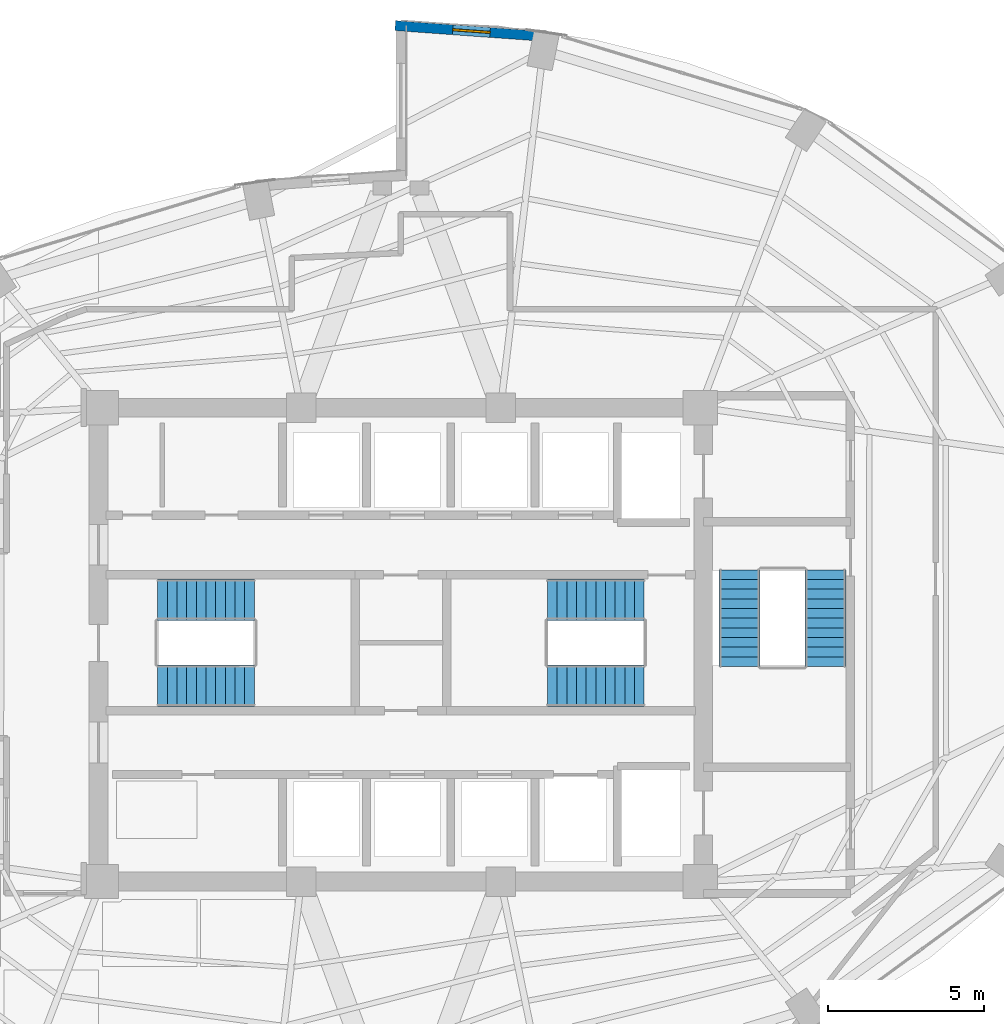
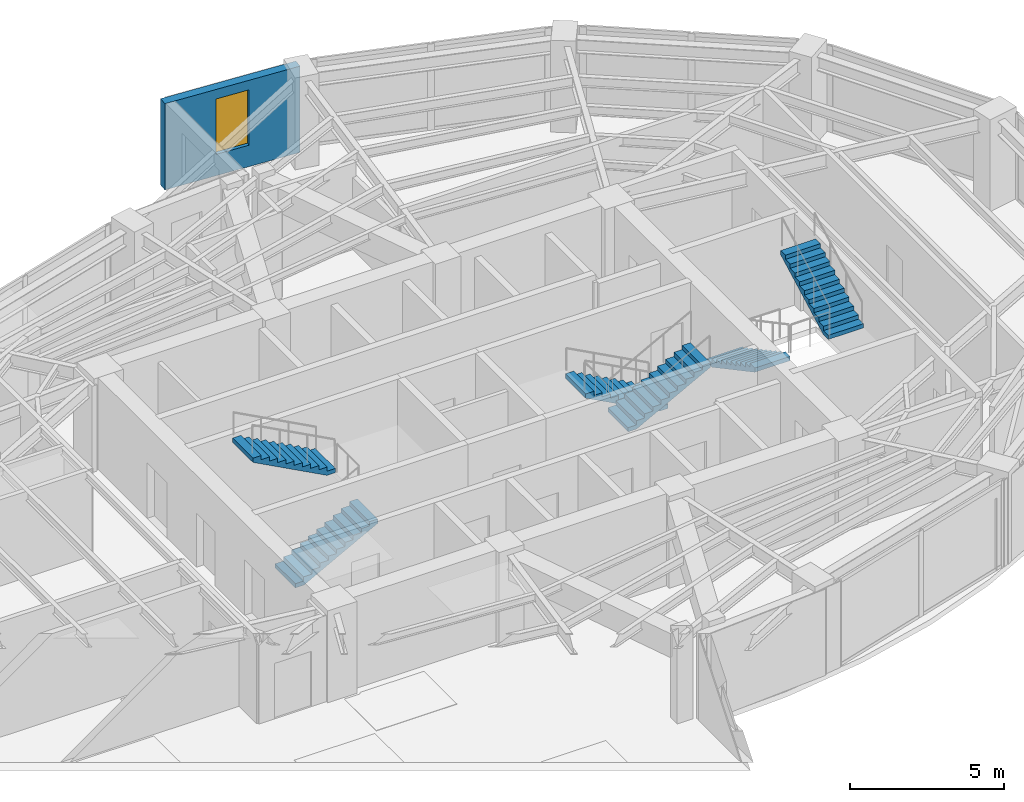
# One storey, part 18 of 20: 6 stair flights, 1 wall, 1 window, 1 opening, 3 elements without a shape of their own.
"""IFC4 building model written with IfcOpenShell, lengths in metres."""

from ifc_helpers import new_model, si_unit, direction, frame, frame_2d, origin, place, context, subcontext, project, spatial, polyline, rectangle, outline, extrude, material, layer, layer_set, type_object, element, fill, aggregate, save


model = new_model("IFC4")

# Units and contexts
model_context = context("Model", 3, precision=1e-05, world=origin(), true_north=direction((0.0, 1.0)))
body_context = subcontext(model_context, "Body", "Model", "MODEL_VIEW")
ifc_project = project(units=[si_unit("LENGTHUNIT", "METRE"), si_unit("AREAUNIT", "SQUARE_METRE"), si_unit("VOLUMEUNIT", "CUBIC_METRE"), si_unit("PLANEANGLEUNIT", "RADIAN"), si_unit("MASSUNIT", "GRAM", prefix="KILO")], contexts=[model_context])

# Site, building, storey
site_placement = place(None, origin())
site = spatial("IfcSite", under=ifc_project, at=site_placement, CompositionType="ELEMENT")
building_placement = place(site_placement, origin())
building = spatial("IfcBuilding", under=site, at=building_placement, Name="Lazwardi Medical Tower", CompositionType="ELEMENT")
storey_placement = place(building_placement, frame((0.0, 0.0, 174.76806640625)))
storey = spatial("IfcBuildingStorey", under=building, at=storey_placement, Name="L45", CompositionType="ELEMENT", Elevation=174.76806640625)

# Wall, opening, window
ifc_material_1 = material(Name="Precast concrete C45/55", Category="concrete")
ifc_layer = layer(ifc_material_1, 0.320068359375)
ifc_layer_set = layer_set([ifc_layer], Name="Precast concrete C45/55")
wall_type = type_object("IfcWallType", Name="WL-IWAN-320", PredefinedType="SOLIDWALL", material=ifc_layer_set)
wall_placement = place(storey_placement, frame((40.700927734375, 47.501220703125, 0.0), z_axis=(0.0, 0.0, 1.0), x_axis=(-0.997415460462, 0.071849838072, 0.0)))
wall = element("IfcWall", 1, at=wall_placement, inside=storey, type_object=wall_type, Name="L45 Iwan Portal Return Wall NE_ret", PredefinedType="SOLIDWALL", context=body_context, shape_type="SweptSolid", body=[
    extrude(rectangle(XDim=4.89306640625, YDim=0.320068359375, at=frame_2d((2.446533203125, 0.0))), origin(), (0.0, 0.0, 1.0), 3.427978515625),
])
opening_placement = place(wall_placement, frame((1.846435546875, 0.0, 0.85009765625)))
opening = element("IfcOpeningElement", 2, at=opening_placement, cuts=wall, Name="Opening WN-01", PredefinedType="OPENING", context=body_context, shape_type="SweptSolid", body=[
    extrude(rectangle(XDim=1.199951171875, YDim=2.199951171875, at=frame_2d((0.60009765625, 1.10009765625))), frame((0.0, 0.169921875, 0.0), z_axis=(0.0, -1.0, 0.0), x_axis=(1.0, 0.0, 0.0)), (0.0, 0.0, 1.0), 0.340087890625),
])
ifc_material_2 = material(Name="Low-e bronze solar control double glazing", Category="glass")
window_type = type_object("IfcWindowType", Name="WIN-IW-1200", PartitioningType="SINGLE_PANEL", PredefinedType="WINDOW", material=ifc_material_2)
window_placement = place(opening_placement, origin())
window = element("IfcWindow", 3, at=window_placement, inside=storey, type_object=window_type, Name="L45 Iwan Slot Window NE_ret", OverallHeight=2.199951171875, OverallWidth=1.199951171875, PartitioningType="SINGLE_PANEL", PredefinedType="WINDOW", context=body_context, shape_type="SweptSolid", body=[
    extrude(rectangle(XDim=1.199951171875, YDim=2.199951171875, at=frame_2d((0.60009765625, 1.10009765625))), frame((0.0, 0.030029296875, 0.0), z_axis=(0.0, -1.0, 0.0), x_axis=(1.0, 0.0, 0.0)), (0.0, 0.0, 1.0), 0.06005859375),
])
fill(opening, window)

# Stair, stair flights
ifc_material_3 = material(Name="Concrete C45/55", Category="concrete")
stair_type = type_object("IfcStairType", Name="STR-WRD", PredefinedType="HALF_TURN_STAIR", material=ifc_material_3)
stair_1_placement = place(storey_placement, origin())
stair_1 = element("IfcStair", 4, at=stair_1_placement, inside=storey, type_object=stair_type, Name="L45 Protected Exit Stair ST1", PredefinedType="HALF_TURN_STAIR")
stair_flight_type = type_object("IfcStairFlightType", Name="FLT-WRD", PredefinedType="STRAIGHT", material=ifc_material_3)
stair_flight_1_placement = place(storey_placement, frame((28.199951171875, 26.679931640625, 0.0), z_axis=(0.0, 0.0, 1.0), x_axis=(1.0, 0.0, 0.0)))
stair_flight_1 = element("IfcStairFlight", 5, at=stair_flight_1_placement, type_object=stair_flight_type, Name="ST1 flight 1", NumberOfRisers=11, NumberOfTreads=10, PredefinedType="STRAIGHT", RiserHeight=0.165818182, TreadLength=0.31, context=body_context, shape_type="SweptSolid", body=[
    extrude(outline(polyline([(0.0, 0.0), (0.0, 0.165771484375), (0.31005859375, 0.165771484375), (0.31005859375, 0.33154296875), (0.6201171875, 0.33154296875), (0.6201171875, 0.49755859375), (0.929931640625, 0.49755859375), (0.929931640625, 0.663330078125), (1.239990234375, 0.663330078125), (1.239990234375, 0.8291015625), (1.550048828125, 0.8291015625), (1.550048828125, 0.994873046875), (1.860107421875, 0.994873046875), (1.860107421875, 1.16064453125), (2.169921875, 1.16064453125), (2.169921875, 1.32666015625), (2.47998046875, 1.32666015625), (2.47998046875, 1.492431640625), (2.7900390625, 1.492431640625), (2.7900390625, 1.658203125), (3.10009765625, 1.658203125), (3.10009765625, 1.823974609375), (3.10009765625, 1.48828125), (0.31787109375, 0.0), (0.0, 0.0)])), frame((0.0, 0.66015625, 0.0), z_axis=(0.0, -1.0, 0.0), x_axis=(1.0, 0.0, 0.0)), (0.0, 0.0, 1.0), 1.320068359375),
])
stair_flight_2_placement = place(storey_placement, frame((31.300048828125, 29.43994140625, 1.823974609375), z_axis=(0.0, 0.0, 1.0), x_axis=(-1.0, 0.0, 0.0)))
stair_flight_2 = element("IfcStairFlight", 6, at=stair_flight_2_placement, type_object=stair_flight_type, Name="ST1 flight 2", NumberOfRisers=11, NumberOfTreads=10, PredefinedType="STRAIGHT", RiserHeight=0.165818182, TreadLength=0.31, context=body_context, shape_type="SweptSolid", body=[
    extrude(outline(polyline([(0.0, 0.0), (0.0, 0.165771484375), (0.31005859375, 0.165771484375), (0.31005859375, 0.33154296875), (0.6201171875, 0.33154296875), (0.6201171875, 0.49755859375), (0.929931640625, 0.49755859375), (0.929931640625, 0.663330078125), (1.239990234375, 0.663330078125), (1.239990234375, 0.8291015625), (1.550048828125, 0.8291015625), (1.550048828125, 0.994873046875), (1.860107421875, 0.994873046875), (1.860107421875, 1.16064453125), (2.169921875, 1.16064453125), (2.169921875, 1.32666015625), (2.47998046875, 1.32666015625), (2.47998046875, 1.492431640625), (2.7900390625, 1.492431640625), (2.7900390625, 1.658203125), (3.10009765625, 1.658203125), (3.10009765625, 1.823974609375), (3.10009765625, 1.48828125), (0.31787109375, 0.0), (0.0, 0.0)])), frame((0.0, 0.66015625, 0.0), z_axis=(0.0, -1.0, 0.0), x_axis=(1.0, 0.0, 0.0)), (0.0, 0.0, 1.0), 1.320068359375),
])
aggregate(stair_1, [stair_flight_1, stair_flight_2])

stair_2_placement = place(storey_placement, origin())
stair_2 = element("IfcStair", 7, at=stair_2_placement, inside=storey, type_object=stair_type, Name="L45 Protected Exit Stair ST2", PredefinedType="HALF_TURN_STAIR")
stair_flight_3_placement = place(storey_placement, frame((43.800048828125, 29.43994140625, 0.0), z_axis=(0.0, 0.0, 1.0), x_axis=(-1.0, 0.0, 0.0)))
stair_flight_3 = element("IfcStairFlight", 8, at=stair_flight_3_placement, type_object=stair_flight_type, Name="ST2 flight 1", NumberOfRisers=11, NumberOfTreads=10, PredefinedType="STRAIGHT", RiserHeight=0.165818182, TreadLength=0.31, context=body_context, shape_type="SweptSolid", body=[
    extrude(outline(polyline([(0.0, 0.0), (0.0, 0.165771484375), (0.31005859375, 0.165771484375), (0.31005859375, 0.33154296875), (0.6201171875, 0.33154296875), (0.6201171875, 0.49755859375), (0.929931640625, 0.49755859375), (0.929931640625, 0.663330078125), (1.239990234375, 0.663330078125), (1.239990234375, 0.8291015625), (1.550048828125, 0.8291015625), (1.550048828125, 0.994873046875), (1.860107421875, 0.994873046875), (1.860107421875, 1.16064453125), (2.169921875, 1.16064453125), (2.169921875, 1.32666015625), (2.47998046875, 1.32666015625), (2.47998046875, 1.492431640625), (2.7900390625, 1.492431640625), (2.7900390625, 1.658203125), (3.10009765625, 1.658203125), (3.10009765625, 1.823974609375), (3.10009765625, 1.48828125), (0.31787109375, 0.0), (0.0, 0.0)])), frame((0.0, 0.66015625, 0.0), z_axis=(0.0, -1.0, 0.0), x_axis=(1.0, 0.0, 0.0)), (0.0, 0.0, 1.0), 1.320068359375),
])
stair_flight_4_placement = place(storey_placement, frame((40.699951171875, 26.679931640625, 1.823974609375), z_axis=(0.0, 0.0, 1.0), x_axis=(1.0, 0.0, 0.0)))
stair_flight_4 = element("IfcStairFlight", 9, at=stair_flight_4_placement, type_object=stair_flight_type, Name="ST2 flight 2", NumberOfRisers=11, NumberOfTreads=10, PredefinedType="STRAIGHT", RiserHeight=0.165818182, TreadLength=0.31, context=body_context, shape_type="SweptSolid", body=[
    extrude(outline(polyline([(0.0, 0.0), (0.0, 0.165771484375), (0.31005859375, 0.165771484375), (0.31005859375, 0.33154296875), (0.6201171875, 0.33154296875), (0.6201171875, 0.49755859375), (0.929931640625, 0.49755859375), (0.929931640625, 0.663330078125), (1.239990234375, 0.663330078125), (1.239990234375, 0.8291015625), (1.550048828125, 0.8291015625), (1.550048828125, 0.994873046875), (1.860107421875, 0.994873046875), (1.860107421875, 1.16064453125), (2.169921875, 1.16064453125), (2.169921875, 1.32666015625), (2.47998046875, 1.32666015625), (2.47998046875, 1.492431640625), (2.7900390625, 1.492431640625), (2.7900390625, 1.658203125), (3.10009765625, 1.658203125), (3.10009765625, 1.823974609375), (3.10009765625, 1.48828125), (0.31787109375, 0.0), (0.0, 0.0)])), frame((0.0, 0.66015625, 0.0), z_axis=(0.0, -1.0, 0.0), x_axis=(1.0, 0.0, 0.0)), (0.0, 0.0, 1.0), 1.320068359375),
])
aggregate(stair_2, [stair_flight_3, stair_flight_4])

stair_3_placement = place(storey_placement, origin())
stair_3 = element("IfcStair", 10, at=stair_3_placement, inside=storey, type_object=stair_type, Name="L45 Protected Exit Stair ST3", PredefinedType="HALF_TURN_STAIR")
stair_flight_5_placement = place(storey_placement, frame((46.860107421875, 30.39990234375, 0.0), z_axis=(0.0, 0.0, 1.0), x_axis=(0.0, -1.0, 0.0)))
stair_flight_5 = element("IfcStairFlight", 11, at=stair_flight_5_placement, type_object=stair_flight_type, Name="ST3 flight 1", NumberOfRisers=11, NumberOfTreads=10, PredefinedType="STRAIGHT", RiserHeight=0.165818182, TreadLength=0.31, context=body_context, shape_type="SweptSolid", body=[
    extrude(outline(polyline([(0.0, 0.0), (0.0, 0.165771484375), (0.31005859375, 0.165771484375), (0.31005859375, 0.33154296875), (0.6201171875, 0.33154296875), (0.6201171875, 0.49755859375), (0.929931640625, 0.49755859375), (0.929931640625, 0.663330078125), (1.239990234375, 0.663330078125), (1.239990234375, 0.8291015625), (1.550048828125, 0.8291015625), (1.550048828125, 0.994873046875), (1.860107421875, 0.994873046875), (1.860107421875, 1.16064453125), (2.169921875, 1.16064453125), (2.169921875, 1.32666015625), (2.47998046875, 1.32666015625), (2.47998046875, 1.492431640625), (2.7900390625, 1.492431640625), (2.7900390625, 1.658203125), (3.10009765625, 1.658203125), (3.10009765625, 1.823974609375), (3.10009765625, 1.48828125), (0.31787109375, 0.0), (0.0, 0.0)])), frame((0.0, 0.66015625, 0.0), z_axis=(0.0, -1.0, 0.0), x_axis=(1.0, 0.0, 0.0)), (0.0, 0.0, 1.0), 1.320068359375),
])
stair_flight_6_placement = place(storey_placement, frame((49.6201171875, 27.300048828125, 1.823974609375), z_axis=(0.0, 0.0, 1.0), x_axis=(0.0, 1.0, 0.0)))
stair_flight_6 = element("IfcStairFlight", 12, at=stair_flight_6_placement, type_object=stair_flight_type, Name="ST3 flight 2", NumberOfRisers=11, NumberOfTreads=10, PredefinedType="STRAIGHT", RiserHeight=0.165818182, TreadLength=0.31, context=body_context, shape_type="SweptSolid", body=[
    extrude(outline(polyline([(0.0, 0.0), (0.0, 0.165771484375), (0.31005859375, 0.165771484375), (0.31005859375, 0.33154296875), (0.6201171875, 0.33154296875), (0.6201171875, 0.49755859375), (0.929931640625, 0.49755859375), (0.929931640625, 0.663330078125), (1.239990234375, 0.663330078125), (1.239990234375, 0.8291015625), (1.550048828125, 0.8291015625), (1.550048828125, 0.994873046875), (1.860107421875, 0.994873046875), (1.860107421875, 1.16064453125), (2.169921875, 1.16064453125), (2.169921875, 1.32666015625), (2.47998046875, 1.32666015625), (2.47998046875, 1.492431640625), (2.7900390625, 1.492431640625), (2.7900390625, 1.658203125), (3.10009765625, 1.658203125), (3.10009765625, 1.823974609375), (3.10009765625, 1.48828125), (0.31787109375, 0.0), (0.0, 0.0)])), frame((0.0, 0.66015625, 0.0), z_axis=(0.0, -1.0, 0.0), x_axis=(1.0, 0.0, 0.0)), (0.0, 0.0, 1.0), 1.320068359375),
])
aggregate(stair_3, [stair_flight_5, stair_flight_6])

save(model, "model.ifc")
